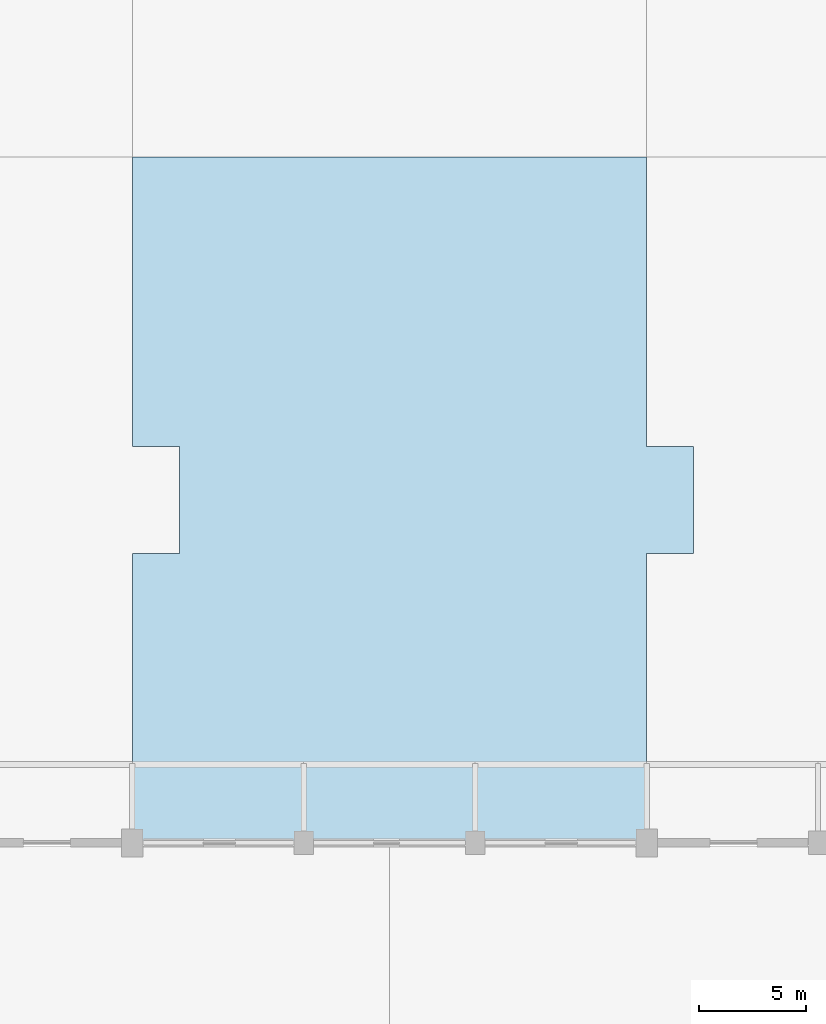
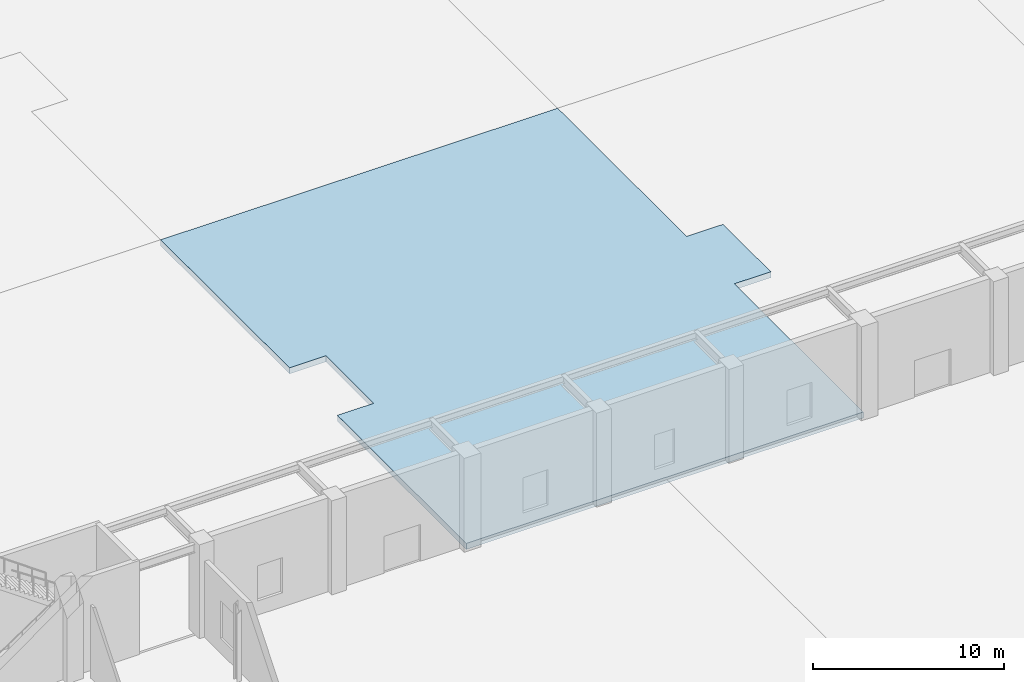
# One storey, part 24 of 49: 1 slab.
"""IFC4 building model written with IfcOpenShell, lengths in metres."""

from ifc_helpers import new_model, si_unit, direction, frame, origin, place, context, subcontext, project, spatial, polyline, outline, extrude, material, layer, layer_set, type_object, element, save


model = new_model("IFC4")

# Units and contexts
model_context = context("Model", 3, precision=1e-05, world=origin(), true_north=direction((0.0, 1.0)))
body_context = subcontext(model_context, "Body", "Model", "MODEL_VIEW")
ifc_project = project(units=[si_unit("LENGTHUNIT", "METRE"), si_unit("AREAUNIT", "SQUARE_METRE"), si_unit("VOLUMEUNIT", "CUBIC_METRE"), si_unit("PLANEANGLEUNIT", "RADIAN"), si_unit("MASSUNIT", "GRAM", prefix="KILO")], contexts=[model_context])

# Site, building, storey
site_placement = place(None, origin())
site = spatial("IfcSite", under=ifc_project, at=site_placement, CompositionType="ELEMENT")
building_placement = place(site_placement, origin())
building = spatial("IfcBuilding", under=site, at=building_placement, Name="Tlacozan Convention Centre", CompositionType="ELEMENT")
storey_placement = place(building_placement, origin())
storey = spatial("IfcBuildingStorey", under=building, at=storey_placement, Name="L00", CompositionType="ELEMENT", Elevation=0.0)

# Slab
ifc_material = material(Name="Concrete C40/50", Category="concrete")
ifc_layer = layer(ifc_material, 0.3798828125)
ifc_layer_set = layer_set([ifc_layer], Name="Concrete C40/50")
slab_type = type_object("IfcSlabType", Name="Heavy Exhibition Floor Slab 380", PredefinedType="FLOOR", material=ifc_layer_set)
slab_placement = place(storey_placement, frame((0.0, 0.0, -0.3798828125)))
element("IfcSlab", 1, at=slab_placement, inside=storey, type_object=slab_type, Name="L00 Heavy Exhibition Floor Slab 380 34", PredefinedType="FLOOR", context=body_context, shape_type="SweptSolid", body=[
    extrude(outline(polyline([(48.0, 75.5), (50.199951171875, 75.5), (50.199951171875, 80.5), (48.0, 80.5), (48.0, 94.0), (72.0, 94.0), (72.0, 80.5), (74.199951171875, 80.5), (74.199951171875, 75.5), (72.0, 75.5), (72.0, 62.0), (48.0, 62.0), (48.0, 75.5)])), origin(), (0.0, 0.0, 1.0), 0.3798828125),
])

save(model, "model.ifc")
